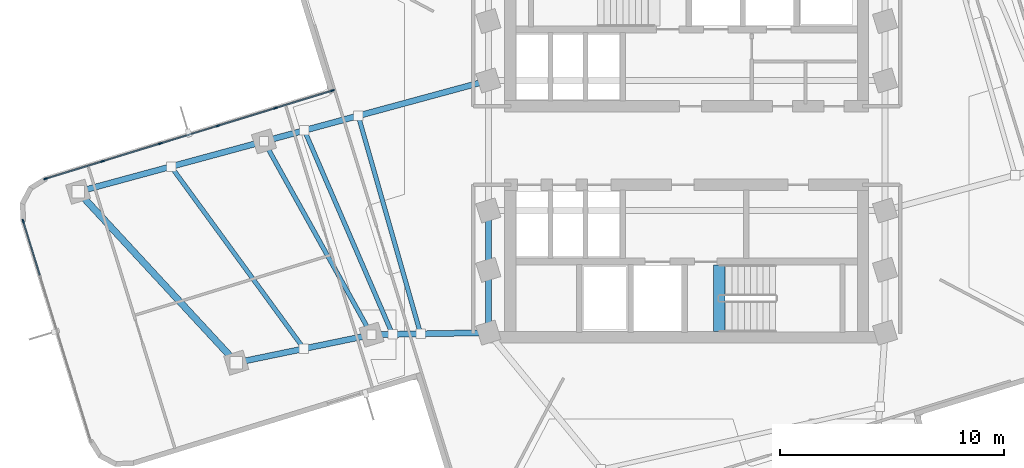
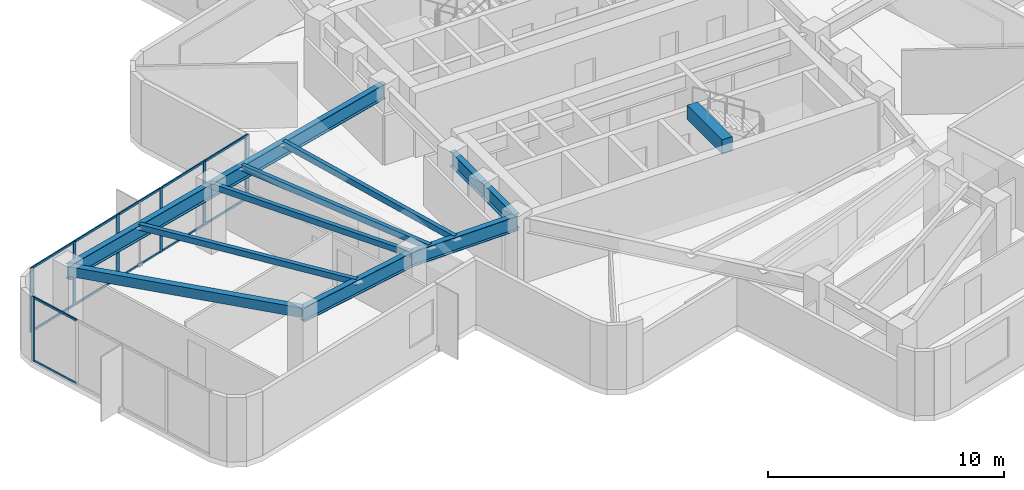
# One storey, part 3 of 10: 19 members, 12 beams, 2 elements without a shape of their own.
"""IFC4 building model written with IfcOpenShell, lengths in metres."""

import ifcopenshell
import ifcopenshell.guid

model = None  # the IFC model being written
_history = None  # IfcOwnerHistory: only IFC2X3 demands one
_inside = {}  # id of a spatial element -> (the spatial element, [elements in it])
_under = {}  # id of a project, library or spatial element -> (it, [spatial elements below it])
_declared = {}  # id of a project -> (the project, [libraries it declares])
_typed = {}  # id of a type object -> (the type object, [elements of that type])
_made_of = {}  # id of a material, layer set ... -> (it, [elements and type objects made of it])


def new_model(schema):
    """Start an empty IFC model of exactly this schema.

    Asked for "IFC4X3", IfcOpenShell would pick the latest addendum, in which some entities
    have other attributes; the version numbers below select the first issue.
    IFC2X3 requires an IfcOwnerHistory on every rooted entity: one is made here for all.
    """
    global model, _history
    if schema == "IFC4X3":
        model = ifcopenshell.file(schema_version=(4, 3, 0, 0))
    else:
        model = ifcopenshell.file(schema=schema)
    _inside.clear()
    _under.clear()
    _declared.clear()
    _typed.clear()
    _made_of.clear()
    _history = None
    if model.schema == "IFC2X3":
        org = make("IfcOrganization", Name="unknown")
        user = make(
            "IfcPersonAndOrganization",
            ThePerson=make("IfcPerson", FamilyName="unknown"),
            TheOrganization=org,
        )
        app = make(
            "IfcApplication",
            ApplicationDeveloper=org,
            Version="unknown",
            ApplicationFullName="unknown",
            ApplicationIdentifier="unknown",
        )
        _history = make(
            "IfcOwnerHistory",
            OwningUser=user,
            OwningApplication=app,
            ChangeAction="ADDED",
            CreationDate=0,
        )
    return model


def make(cls, **values):
    """One entity of the class cls with the attributes given. An attribute that is None is left unset."""
    return model.create_entity(
        cls, **{name: value for name, value in values.items() if value is not None}
    )


def rooted(cls, **values):
    """An entity with a GlobalId (a new one), such as an element, a storey or a relation."""
    return make(cls, GlobalId=ifcopenshell.guid.new(), OwnerHistory=_history, **values)


def si_unit(unit_type, name, prefix=None):
    """IfcSIUnit, for example si_unit("LENGTHUNIT", "METRE", prefix="MILLI")."""
    return make("IfcSIUnit", UnitType=unit_type, Prefix=prefix, Name=name)


def assignment(units):
    """IfcUnitAssignment: the units of a project."""
    return None if units is None else make("IfcUnitAssignment", Units=units)


def point(xyz):
    """IfcCartesianPoint."""
    return None if xyz is None else make("IfcCartesianPoint", Coordinates=xyz)


def direction(xyz):
    """IfcDirection."""
    return None if xyz is None else make("IfcDirection", DirectionRatios=xyz)


def frame(location, z_axis=None, x_axis=None):
    """IfcAxis2Placement3D, a coordinate frame: its origin and axes. An axis left out is left unset."""
    return make(
        "IfcAxis2Placement3D",
        Location=point(location),
        Axis=direction(z_axis),
        RefDirection=direction(x_axis),
    )


def frame_2d(location, x_axis=None):
    """IfcAxis2Placement2D, a coordinate frame in the plane: its origin and x axis."""
    return make(
        "IfcAxis2Placement2D", Location=point(location), RefDirection=direction(x_axis)
    )


def origin():
    """The frame at (0, 0, 0) with its axes left unset."""
    return frame((0.0, 0.0, 0.0))


def origin_2d():
    """The frame at (0, 0) in the plane with its x axis left unset."""
    return frame_2d((0.0, 0.0))


def place(relative_to, where):
    """IfcLocalPlacement: puts the frame where relative to a parent placement (None: the world)."""
    return make(
        "IfcLocalPlacement", PlacementRelTo=relative_to, RelativePlacement=where
    )


def context(
    kind, dimensions, precision=None, world=None, true_north=None, identifier=None
):
    """IfcGeometricRepresentationContext, for example the 3D "Model" context."""
    return make(
        "IfcGeometricRepresentationContext",
        ContextIdentifier=identifier,
        ContextType=kind,
        CoordinateSpaceDimension=dimensions,
        Precision=precision,
        WorldCoordinateSystem=world,
        TrueNorth=true_north,
    )


def subcontext(parent, identifier, kind, view, scale=None):
    """IfcGeometricRepresentationSubContext, for example "Body" below "Model"."""
    return make(
        "IfcGeometricRepresentationSubContext",
        ContextIdentifier=identifier,
        ContextType=kind,
        ParentContext=parent,
        TargetScale=scale,
        TargetView=view,
    )


def project(units=None, contexts=None):
    """IfcProject with its units and contexts."""
    return rooted(
        "IfcProject",
        Name="project",
        RepresentationContexts=contexts,
        UnitsInContext=assignment(units),
    )


def spatial(cls, under=None, at=None, **own):
    """A site, building, storey or space (cls), placed at a placement, below another one or the project."""
    s = rooted(cls, ObjectPlacement=at, **own)
    if under is not None:
        _under.setdefault(under.id(), (under, []))[1].append(s)
    return s


def profile(cls, at=None, kind="AREA", **sizes):
    """A parametric profile (cls). Its sizes go by their IFC names, for example OverallWidth=200.0."""
    return make(cls, ProfileType=kind, Position=at, **sizes)


def rectangle(**sizes):
    """IfcRectangleProfileDef."""
    return profile("IfcRectangleProfileDef", **sizes)


def hollow_rectangle(**sizes):
    """IfcRectangleHollowProfileDef."""
    return profile("IfcRectangleHollowProfileDef", **sizes)


def i_section(**sizes):
    """IfcIShapeProfileDef."""
    return profile("IfcIShapeProfileDef", **sizes)


def extrude(swept, where, along, depth):
    """IfcExtrudedAreaSolid: the profile swept, set in the frame where, extruded along a direction by depth."""
    return make(
        "IfcExtrudedAreaSolid",
        SweptArea=swept,
        Position=where,
        ExtrudedDirection=direction(along),
        Depth=depth,
    )


def shape(context_of_items, identifier, shape_type, items):
    """IfcShapeRepresentation: the items that make up one representation, for example the "Body"."""
    return make(
        "IfcShapeRepresentation",
        ContextOfItems=context_of_items,
        RepresentationIdentifier=identifier,
        RepresentationType=shape_type,
        Items=items,
    )


def material(Name=None, Category=None):
    """IfcMaterial."""
    return make("IfcMaterial", Name=Name, Category=Category)


def layer(
    of_material, thickness, ventilated=None, Name=None, Category=None, Priority=None
):
    """IfcMaterialLayer: one layer of a wall or slab, of a material (None: an air gap)."""
    return make(
        "IfcMaterialLayer",
        Material=of_material,
        LayerThickness=thickness,
        IsVentilated=ventilated,
        Name=Name,
        Category=Category,
        Priority=Priority,
    )


def layer_set(layers, Name=None):
    """IfcMaterialLayerSet."""
    return make("IfcMaterialLayerSet", MaterialLayers=layers, LayerSetName=Name)


def material_profile(
    of_material, cross_section, Name=None, Category=None, Priority=None
):
    """IfcMaterialProfile: a cross section and its material."""
    return make(
        "IfcMaterialProfile",
        Name=Name,
        Material=of_material,
        Profile=cross_section,
        Priority=Priority,
        Category=Category,
    )


def profile_set(profiles, Name=None, composite=None):
    """IfcMaterialProfileSet."""
    return make(
        "IfcMaterialProfileSet",
        Name=Name,
        MaterialProfiles=profiles,
        CompositeProfile=composite,
    )


def made_of(thing, what):
    """Note that an element or type object is made of a material, layer set ...; save() writes the relation."""
    if what is not None:
        _made_of.setdefault(what.id(), (what, []))[1].append(thing)
    return thing


def type_object(cls, material=None, **own):
    """A type object (cls), such as IfcWallType, which elements share."""
    return made_of(rooted(cls, **own), material)


def element(
    cls,
    number,
    at=None,
    inside=None,
    cuts=None,
    type_object=None,
    material=None,
    context=None,
    identifier="Body",
    shape_type=None,
    held_by="IfcProductDefinitionShape",
    body=None,
    shapes=None,
    **own,
):
    """One element of the class cls, such as IfcWall. Its Tag is "e" and its number.

    at: its placement. inside: the storey or other place that contains it. cuts: it is an
    opening in that element (IfcRelVoidsElement). A single representation is given by context,
    identifier, shape_type and body (its items); several are given by shapes. held_by: the class
    of the entity that holds the representations. save() writes the other relations.
    """
    e = rooted(cls, Tag="e%d" % number, ObjectPlacement=at, **own)
    if body is not None:
        shapes = [shape(context, identifier, shape_type, body)]
    if shapes is not None:
        e.Representation = make(held_by, Representations=shapes)
    if inside is not None:
        _inside.setdefault(inside.id(), (inside, []))[1].append(e)
    if cuts is not None:
        rooted(
            "IfcRelVoidsElement", RelatingBuildingElement=cuts, RelatedOpeningElement=e
        )
    if type_object is not None:
        _typed.setdefault(type_object.id(), (type_object, []))[1].append(e)
    return made_of(e, material)


def aggregate(whole, parts):
    """IfcRelAggregates: a whole, such as a stair, and the parts it consists of."""
    return rooted("IfcRelAggregates", RelatingObject=whole, RelatedObjects=parts)


def save(model, path):
    """Write the relations noted so far, then the file.

    IfcRelAggregates (storeys below a building ...), IfcRelContainedInSpatialStructure (elements
    in a storey), IfcRelDefinesByType, IfcRelAssociatesMaterial and IfcRelDeclares: one each for
    every whole, place, type object, material and project.
    """
    for whole, parts in _under.values():
        aggregate(whole, parts)
    for where, things in _inside.values():
        rooted(
            "IfcRelContainedInSpatialStructure",
            RelatedElements=things,
            RelatingStructure=where,
        )
    for kind, things in _typed.values():
        rooted("IfcRelDefinesByType", RelatedObjects=things, RelatingType=kind)
    for what, things in _made_of.values():
        rooted("IfcRelAssociatesMaterial", RelatedObjects=things, RelatingMaterial=what)
    for by, libraries in _declared.values():
        rooted("IfcRelDeclares", RelatingContext=by, RelatedDefinitions=libraries)
    model.write(path)


model = new_model("IFC4")

# Units and contexts
model_context = context("Model", 3, precision=1e-05, world=origin(), true_north=direction((0.0, 1.0)))
body_context = subcontext(model_context, "Body", "Model", "MODEL_VIEW")
ifc_project = project(units=[si_unit("LENGTHUNIT", "METRE"), si_unit("AREAUNIT", "SQUARE_METRE"), si_unit("VOLUMEUNIT", "CUBIC_METRE"), si_unit("PLANEANGLEUNIT", "RADIAN"), si_unit("MASSUNIT", "GRAM", prefix="KILO")], contexts=[model_context])

# Site, building, storey
site_placement = place(None, origin())
site = spatial("IfcSite", under=ifc_project, at=site_placement, CompositionType="ELEMENT")
building_placement = place(site_placement, origin())
building = spatial("IfcBuilding", under=site, at=building_placement, Name="Solmarez Civic Tower", CompositionType="ELEMENT")
storey_placement = place(building_placement, frame((0.0, 0.0, 148.679931640625)))
storey = spatial("IfcBuildingStorey", under=building, at=storey_placement, Name="L39", CompositionType="ELEMENT", Elevation=148.679931640625)

# Beams
ifc_material_1 = material(Name="Steel S355", Category="steel")
ifc_material_profile_1 = material_profile(ifc_material_1, hollow_rectangle(XDim=0.199951171875, YDim=0.300048828125, WallThickness=0.011962890625, at=origin_2d()), Name="HSS300X200X12")
ifc_profile_set_1 = profile_set([ifc_material_profile_1], Name="Steel S355")
beam_type_1 = type_object("IfcBeamType", Name="BM-JS-HSS300X200", PredefinedType="JOIST", material=ifc_profile_set_1)
beam_1_placement = place(storey_placement, frame((-18.860107421875, 0.18310546875, 3.170166015625), z_axis=(0.485852902718, -0.874040592261, 0.0), x_axis=(0.874040592261, 0.485852902718, 0.0)))
element("IfcBeam", 1, at=beam_1_placement, inside=storey, type_object=beam_type_1, Name="L39 Secondary Floor Joist BM-L39-WA-T1", PredefinedType="JOIST", context=body_context, shape_type="SweptSolid", body=[
    extrude(hollow_rectangle(XDim=0.199951171875, YDim=0.300048828125, WallThickness=0.011962890625, at=origin_2d()), origin(), (0.0, 0.0, 1.0), 9.87158203125),
])
beam_2_placement = place(storey_placement, frame((-23.006103515625, -0.94091796875, 3.170166015625), z_axis=(0.589058914091, -0.808090091345, 0.0), x_axis=(0.808090091345, 0.589058914091, 0.0)))
element("IfcBeam", 2, at=beam_2_placement, inside=storey, type_object=beam_type_1, Name="L39 Secondary Floor Joist JS-L39-WA-M2", PredefinedType="JOIST", context=body_context, shape_type="SweptSolid", body=[
    extrude(hollow_rectangle(XDim=0.199951171875, YDim=0.300048828125, WallThickness=0.011962890625, at=origin_2d()), origin(), (0.0, 0.0, 1.0), 10.05859375),
])
beam_3_placement = place(storey_placement, frame((-14.656005859375, 1.323974609375, 3.170166015625), z_axis=(0.27492825036, -0.961464745664, 0.0), x_axis=(0.961464745664, 0.27492825036, 0.0)))
element("IfcBeam", 3, at=beam_3_placement, inside=storey, type_object=beam_type_1, Name="L39 Secondary Floor Joist JS-L39-WA-M11", PredefinedType="JOIST", context=body_context, shape_type="SweptSolid", body=[
    extrude(hollow_rectangle(XDim=0.199951171875, YDim=0.300048828125, WallThickness=0.011962890625, at=origin_2d()), origin(), (0.0, 0.0, 1.0), 10.118896484375),
])
beam_4_placement = place(storey_placement, frame((-17.05810546875, 0.672119140625, 3.170166015625), z_axis=(0.396735074316, -0.917933157048, 0.0), x_axis=(0.917933157048, 0.396735074316, 0.0)))
element("IfcBeam", 4, at=beam_4_placement, inside=storey, type_object=beam_type_1, Name="L39 Secondary Floor Joist JS-L39-WA-M12", PredefinedType="JOIST", context=body_context, shape_type="SweptSolid", body=[
    extrude(hollow_rectangle(XDim=0.199951171875, YDim=0.300048828125, WallThickness=0.011962890625, at=origin_2d()), origin(), (0.0, 0.0, 1.0), 9.91357421875),
])
ifc_material_2 = material(Name="Concrete C50/60", Category="concrete")
ifc_material_profile_2 = material_profile(ifc_material_2, rectangle(XDim=0.5, YDim=0.75, at=origin_2d()), Name="RC500X750")
ifc_profile_set_2 = profile_set([ifc_material_profile_2], Name="Concrete C50/60")
beam_type_2 = type_object("IfcBeamType", Name="BM-PR-RC500X750", PredefinedType="BEAM", material=ifc_profile_set_2)
beam_5_placement = place(storey_placement, frame((1.449951171875, -8.300048828125, 3.233154296875), z_axis=(0.0, 1.0, 0.0), x_axis=(-1.0, 0.0, 0.0)))
element("IfcBeam", 5, at=beam_5_placement, inside=storey, type_object=beam_type_2, Name="L39 South Stair Threshold Beam", PredefinedType="BEAM", context=body_context, shape_type="SweptSolid", body=[
    extrude(rectangle(XDim=0.5, YDim=0.75, at=origin_2d()), origin(), (0.0, 0.0, 1.0), 2.9599609375),
])
ifc_material_profile_3 = material_profile(ifc_material_1, i_section(OverallWidth=0.26708984375, OverallDepth=0.761962890625, WebThickness=0.014404296875, FlangeThickness=0.021484375, at=origin_2d()), Name="W30X116")
ifc_profile_set_3 = profile_set([ifc_material_profile_3], Name="Steel S355")
beam_type_3 = type_object("IfcBeamType", Name="BM-PR-W30X116", PredefinedType="BEAM", material=ifc_profile_set_3)
beam_6_placement = place(storey_placement, frame((-8.85009765625, -8.35009765625, 2.93896484375), z_axis=(0.0, 1.0, 0.0), x_axis=(-1.0, 0.0, 0.0)))
element("IfcBeam", 6, at=beam_6_placement, inside=storey, type_object=beam_type_3, Name="L39 Primary Floor Beam BM-L39-HC12-HC1", PredefinedType="BEAM", context=body_context, shape_type="SweptSolid", body=[
    extrude(i_section(OverallWidth=0.26708984375, OverallDepth=0.761962890625, WebThickness=0.014404296875, FlangeThickness=0.021484375, at=origin_2d()), origin(), (0.0, 0.0, 1.0), 2.800048828125),
])
beam_7_placement = place(storey_placement, frame((-8.85009765625, -5.550048828125, 2.93896484375), z_axis=(0.0, 1.0, 0.0), x_axis=(-1.0, 0.0, 0.0)))
element("IfcBeam", 7, at=beam_7_placement, inside=storey, type_object=beam_type_3, Name="L39 Primary Floor Beam BM-L39-HC1-HC2", PredefinedType="BEAM", context=body_context, shape_type="SweptSolid", body=[
    extrude(i_section(OverallWidth=0.26708984375, OverallDepth=0.761962890625, WebThickness=0.014404296875, FlangeThickness=0.021484375, at=origin_2d()), origin(), (0.0, 0.0, 1.0), 2.650146484375),
])
beam_8_placement = place(storey_placement, frame((-8.85009765625, 2.89990234375, 2.93896484375), z_axis=(-0.965086289853, -0.261932153691, 0.0), x_axis=(0.261932153691, -0.965086289853, 0.0)))
element("IfcBeam", 8, at=beam_8_placement, inside=storey, type_object=beam_type_3, Name="L39 Primary Floor Beam BM-L39-WA-R1A", PredefinedType="BEAM", context=body_context, shape_type="SweptSolid", body=[
    extrude(i_section(OverallWidth=0.26708984375, OverallDepth=0.761962890625, WebThickness=0.014404296875, FlangeThickness=0.021484375, at=origin_2d()), origin(), (0.0, 0.0, 1.0), 10.3720703125),
])
beam_9_placement = place(storey_placement, frame((-8.85009765625, -8.35009765625, 2.93896484375), z_axis=(-0.999834147765, -0.018212000538, 0.0), x_axis=(0.018212000538, -0.999834147765, 0.0)))
element("IfcBeam", 9, at=beam_9_placement, inside=storey, type_object=beam_type_3, Name="L39 Primary Floor Beam BM-L39-WA-R1B", PredefinedType="BEAM", context=body_context, shape_type="SweptSolid", body=[
    extrude(i_section(OverallWidth=0.26708984375, OverallDepth=0.761962890625, WebThickness=0.014404296875, FlangeThickness=0.021484375, at=origin_2d()), origin(), (0.0, 0.0, 1.0), 5.21484375),
])
beam_10_placement = place(storey_placement, frame((-18.860107421875, 0.18310546875, 2.93896484375), z_axis=(-0.965195296066, -0.261530190326, 0.0), x_axis=(0.261530190326, -0.965195296066, 0.0)))
element("IfcBeam", 10, at=beam_10_placement, inside=storey, type_object=beam_type_3, Name="L39 Primary Floor Beam BM-L39-WA-R2A", PredefinedType="BEAM", context=body_context, shape_type="SweptSolid", body=[
    extrude(i_section(OverallWidth=0.26708984375, OverallDepth=0.761962890625, WebThickness=0.014404296875, FlangeThickness=0.021484375, at=origin_2d()), origin(), (0.0, 0.0, 1.0), 8.592041015625),
])
beam_11_placement = place(storey_placement, frame((-14.06396484375, -8.445068359375, 2.93896484375), z_axis=(-0.979311082476, -0.202360578523, 0.0), x_axis=(0.202360578523, -0.979311082476, 0.0)))
element("IfcBeam", 11, at=beam_11_placement, inside=storey, type_object=beam_type_3, Name="L39 Primary Floor Beam BM-L39-WA-R2B", PredefinedType="BEAM", context=body_context, shape_type="SweptSolid", body=[
    extrude(i_section(OverallWidth=0.26708984375, OverallDepth=0.761962890625, WebThickness=0.014404296875, FlangeThickness=0.021484375, at=origin_2d()), origin(), (0.0, 0.0, 1.0), 6.161376953125),
])
ifc_material_profile_4 = material_profile(ifc_material_1, hollow_rectangle(XDim=0.300048828125, YDim=0.5, WallThickness=0.02001953125, at=origin_2d()), Name="HSS500X300X20")
ifc_profile_set_4 = profile_set([ifc_material_profile_4], Name="Steel S355")
beam_type_4 = type_object("IfcBeamType", Name="BM-SP-HSS500X300", PredefinedType="SPANDREL", material=ifc_profile_set_4)
beam_12_placement = place(storey_placement, frame((-27.153076171875, -2.06396484375, 3.070068359375), z_axis=(0.679007792344, -0.734131063187, 0.0), x_axis=(0.734131063187, 0.679007792344, 0.0)))
element("IfcBeam", 12, at=beam_12_placement, inside=storey, type_object=beam_type_4, Name="L39 Perimeter Spandrel Beam BM-L39-WA-T2", PredefinedType="SPANDREL", context=body_context, shape_type="SweptSolid", body=[
    extrude(hollow_rectangle(XDim=0.300048828125, YDim=0.5, WallThickness=0.02001953125, at=origin_2d()), origin(), (0.0, 0.0, 1.0), 10.390380859375),
])

# Curtain wall, member
ifc_material_3 = material(Name="Bronze Anodised Aluminium EN AW-6063 T6", Category="aluminium")
ifc_layer = layer(ifc_material_3, 0.175048828125)
ifc_layer_set = layer_set([ifc_layer], Name="Bronze Anodised Aluminium EN AW-6063 T6")
curtain_wall_type = type_object("IfcCurtainWallType", Name="CW-SYS-3", PredefinedType="NOTDEFINED", material=ifc_layer_set)
curtain_wall_1_placement = place(storey_placement, origin())
curtain_wall_1 = element("IfcCurtainWall", 13, at=curtain_wall_1_placement, inside=storey, type_object=curtain_wall_type, Name="L39 Stick-Built Curtain Wall 1", PredefinedType="NOTDEFINED")
ifc_material_profile_5 = material_profile(ifc_material_3, rectangle(XDim=0.06494140625, YDim=0.1650390625, at=origin_2d()), Name="CWM-65X165")
ifc_profile_set_5 = profile_set([ifc_material_profile_5], Name="Bronze Anodised Aluminium EN AW-6063 T6")
member_type_1 = type_object("IfcMemberType", Name="CWM-TYPE-3", PredefinedType="MULLION", material=ifc_profile_set_5)
member_1_placement = place(storey_placement, frame((-29.60546875, -3.3759765625, 0.0), z_axis=(0.0, 0.0, 1.0), x_axis=(-0.955816709282, -0.293963294064, 0.0)))
member_1 = element("IfcMember", 14, at=member_1_placement, type_object=member_type_1, Name="CWS3 mullion 5", PredefinedType="MULLION", context=body_context, shape_type="SweptSolid", body=[
    extrude(rectangle(XDim=0.06494140625, YDim=0.1650390625, at=origin_2d()), origin(), (0.0, 0.0, 1.0), 3.320068359375),
])

# Curtain wall, members
curtain_wall_2_placement = place(storey_placement, origin())
curtain_wall_2 = element("IfcCurtainWall", 15, at=curtain_wall_2_placement, inside=storey, type_object=curtain_wall_type, Name="L39 Stick-Built Curtain Wall 2", PredefinedType="NOTDEFINED")
member_2_placement = place(storey_placement, frame((-28.60595703125, -1.486328125, 0.0), z_axis=(0.0, 0.0, 1.0), x_axis=(-0.294007530987, 0.95580310301, 0.0)))
member_2 = element("IfcMember", 16, at=member_2_placement, type_object=member_type_1, Name="CWS3 mullion 1", PredefinedType="MULLION", context=body_context, shape_type="SweptSolid", body=[
    extrude(rectangle(XDim=0.06494140625, YDim=0.1650390625, at=origin_2d()), origin(), (0.0, 0.0, 1.0), 3.320068359375),
])
member_3_placement = place(storey_placement, frame((-26.064208984375, -0.70458984375, 0.0), z_axis=(0.0, 0.0, 1.0), x_axis=(-0.294007530987, 0.95580310301, 0.0)))
member_3 = element("IfcMember", 17, at=member_3_placement, type_object=member_type_1, Name="CWS3 mullion 2", PredefinedType="MULLION", context=body_context, shape_type="SweptSolid", body=[
    extrude(rectangle(XDim=0.06494140625, YDim=0.1650390625, at=origin_2d()), origin(), (0.0, 0.0, 1.0), 3.320068359375),
])
member_4_placement = place(storey_placement, frame((-23.491455078125, 0.0869140625, 0.0), z_axis=(0.0, 0.0, 1.0), x_axis=(-0.294007530987, 0.95580310301, 0.0)))
member_4 = element("IfcMember", 18, at=member_4_placement, type_object=member_type_1, Name="CWS3 mullion 3", PredefinedType="MULLION", context=body_context, shape_type="SweptSolid", body=[
    extrude(rectangle(XDim=0.06494140625, YDim=0.1650390625, at=origin_2d()), origin(), (0.0, 0.0, 1.0), 3.320068359375),
])
member_5_placement = place(storey_placement, frame((-20.918701171875, 0.878173828125, 0.0), z_axis=(0.0, 0.0, 1.0), x_axis=(-0.294007530987, 0.95580310301, 0.0)))
member_5 = element("IfcMember", 19, at=member_5_placement, type_object=member_type_1, Name="CWS3 mullion 4", PredefinedType="MULLION", context=body_context, shape_type="SweptSolid", body=[
    extrude(rectangle(XDim=0.06494140625, YDim=0.1650390625, at=origin_2d()), origin(), (0.0, 0.0, 1.0), 3.320068359375),
])
member_6_placement = place(storey_placement, frame((-18.345703125, 1.669677734375, 0.0), z_axis=(0.0, 0.0, 1.0), x_axis=(-0.294007530987, 0.95580310301, 0.0)))
member_6 = element("IfcMember", 20, at=member_6_placement, type_object=member_type_1, Name="CWS3 mullion 5", PredefinedType="MULLION", context=body_context, shape_type="SweptSolid", body=[
    extrude(rectangle(XDim=0.06494140625, YDim=0.1650390625, at=origin_2d()), origin(), (0.0, 0.0, 1.0), 3.320068359375),
])
member_7_placement = place(storey_placement, frame((-15.803955078125, 2.451416015625, 0.0), z_axis=(0.0, 0.0, 1.0), x_axis=(-0.294007530987, 0.95580310301, 0.0)))
member_7 = element("IfcMember", 21, at=member_7_placement, type_object=member_type_1, Name="CWS3 mullion 6", PredefinedType="MULLION", context=body_context, shape_type="SweptSolid", body=[
    extrude(rectangle(XDim=0.06494140625, YDim=0.1650390625, at=origin_2d()), origin(), (0.0, 0.0, 1.0), 3.320068359375),
])

# Member
ifc_material_profile_6 = material_profile(ifc_material_3, rectangle(XDim=0.06005859375, YDim=0.110107421875, at=origin_2d()), Name="CWT-60X110")
ifc_profile_set_6 = profile_set([ifc_material_profile_6], Name="Bronze Anodised Aluminium EN AW-6063 T6")
member_type_2 = type_object("IfcMemberType", Name="CWT-TYPE-3", PredefinedType="USERDEFINED", material=ifc_profile_set_6)
member_8_placement = place(storey_placement, frame((-28.865966796875, -5.7802734375, 0.030029296875), z_axis=(-0.294016748951, 0.955800267491, 0.0), x_axis=(-0.955800267491, -0.294016748951, 0.0)))
member_8 = element("IfcMember", 22, at=member_8_placement, type_object=member_type_2, Name="CWS3 transom 4.1", ObjectType="TRANSOM", PredefinedType="USERDEFINED", context=body_context, shape_type="SweptSolid", body=[
    extrude(rectangle(XDim=0.06005859375, YDim=0.110107421875, at=origin_2d()), origin(), (0.0, 0.0, 1.0), 2.482666015625),
])

member_9_placement = place(storey_placement, frame((-28.865966796875, -5.7802734375, 3.2900390625), z_axis=(-0.294016748951, 0.955800267491, 0.0), x_axis=(-0.955800267491, -0.294016748951, 0.0)))
member_9 = element("IfcMember", 23, at=member_9_placement, type_object=member_type_2, Name="CWS3 transom 4.2", ObjectType="TRANSOM", PredefinedType="USERDEFINED", context=body_context, shape_type="SweptSolid", body=[
    extrude(rectangle(XDim=0.06005859375, YDim=0.110107421875, at=origin_2d()), origin(), (0.0, 0.0, 1.0), 2.482666015625),
])

aggregate(curtain_wall_1, [member_1, member_8, member_9])

member_10_placement = place(storey_placement, frame((-28.574951171875, -1.476806640625, 0.030029296875), z_axis=(0.955811557669, 0.293980043926, 0.0), x_axis=(-0.293980043926, 0.955811557669, 0.0)))
member_10 = element("IfcMember", 24, at=member_10_placement, type_object=member_type_2, Name="CWS3 transom 1.1", ObjectType="TRANSOM", PredefinedType="USERDEFINED", context=body_context, shape_type="SweptSolid", body=[
    extrude(rectangle(XDim=0.06005859375, YDim=0.110107421875, at=origin_2d()), origin(), (0.0, 0.0, 1.0), 2.594482421875),
])

member_11_placement = place(storey_placement, frame((-28.574951171875, -1.476806640625, 3.2900390625), z_axis=(0.955811557669, 0.293980043926, 0.0), x_axis=(-0.293980043926, 0.955811557669, 0.0)))
member_11 = element("IfcMember", 25, at=member_11_placement, type_object=member_type_2, Name="CWS3 transom 1.2", ObjectType="TRANSOM", PredefinedType="USERDEFINED", context=body_context, shape_type="SweptSolid", body=[
    extrude(rectangle(XDim=0.06005859375, YDim=0.110107421875, at=origin_2d()), origin(), (0.0, 0.0, 1.0), 2.594482421875),
])

member_12_placement = place(storey_placement, frame((-26.033203125, -0.695068359375, 0.030029296875), z_axis=(0.955813164654, 0.293974819117, 0.0), x_axis=(-0.293974819117, 0.955813164654, 0.0)))
member_12 = element("IfcMember", 26, at=member_12_placement, type_object=member_type_2, Name="CWS3 transom 2.1", ObjectType="TRANSOM", PredefinedType="USERDEFINED", context=body_context, shape_type="SweptSolid", body=[
    extrude(rectangle(XDim=0.06005859375, YDim=0.110107421875, at=origin_2d()), origin(), (0.0, 0.0, 1.0), 2.626708984375),
])

member_13_placement = place(storey_placement, frame((-26.033203125, -0.695068359375, 3.2900390625), z_axis=(0.955813164654, 0.293974819117, 0.0), x_axis=(-0.293974819117, 0.955813164654, 0.0)))
member_13 = element("IfcMember", 27, at=member_13_placement, type_object=member_type_2, Name="CWS3 transom 2.2", ObjectType="TRANSOM", PredefinedType="USERDEFINED", context=body_context, shape_type="SweptSolid", body=[
    extrude(rectangle(XDim=0.06005859375, YDim=0.110107421875, at=origin_2d()), origin(), (0.0, 0.0, 1.0), 2.626708984375),
])

member_14_placement = place(storey_placement, frame((-23.46044921875, 0.096435546875, 0.030029296875), z_axis=(0.955813164654, 0.293974819117, 0.0), x_axis=(-0.293974819117, 0.955813164654, 0.0)))
member_14 = element("IfcMember", 28, at=member_14_placement, type_object=member_type_2, Name="CWS3 transom 3.1", ObjectType="TRANSOM", PredefinedType="USERDEFINED", context=body_context, shape_type="SweptSolid", body=[
    extrude(rectangle(XDim=0.06005859375, YDim=0.110107421875, at=origin_2d()), origin(), (0.0, 0.0, 1.0), 2.626708984375),
])

member_15_placement = place(storey_placement, frame((-23.46044921875, 0.096435546875, 3.2900390625), z_axis=(0.955813164654, 0.293974819117, 0.0), x_axis=(-0.293974819117, 0.955813164654, 0.0)))
member_15 = element("IfcMember", 29, at=member_15_placement, type_object=member_type_2, Name="CWS3 transom 3.2", ObjectType="TRANSOM", PredefinedType="USERDEFINED", context=body_context, shape_type="SweptSolid", body=[
    extrude(rectangle(XDim=0.06005859375, YDim=0.110107421875, at=origin_2d()), origin(), (0.0, 0.0, 1.0), 2.626708984375),
])

member_16_placement = place(storey_placement, frame((-20.887451171875, 0.8876953125, 0.030029296875), z_axis=(0.955779008722, 0.294085848838, 0.0), x_axis=(-0.294085848838, 0.955779008722, 0.0)))
member_16 = element("IfcMember", 30, at=member_16_placement, type_object=member_type_2, Name="CWS3 transom 4.1", ObjectType="TRANSOM", PredefinedType="USERDEFINED", context=body_context, shape_type="SweptSolid", body=[
    extrude(rectangle(XDim=0.06005859375, YDim=0.110107421875, at=origin_2d()), origin(), (0.0, 0.0, 1.0), 2.626708984375),
])

member_17_placement = place(storey_placement, frame((-20.887451171875, 0.8876953125, 3.2900390625), z_axis=(0.955779008722, 0.294085848838, 0.0), x_axis=(-0.294085848838, 0.955779008722, 0.0)))
member_17 = element("IfcMember", 31, at=member_17_placement, type_object=member_type_2, Name="CWS3 transom 4.2", ObjectType="TRANSOM", PredefinedType="USERDEFINED", context=body_context, shape_type="SweptSolid", body=[
    extrude(rectangle(XDim=0.06005859375, YDim=0.110107421875, at=origin_2d()), origin(), (0.0, 0.0, 1.0), 2.626708984375),
])

member_18_placement = place(storey_placement, frame((-18.314697265625, 1.67919921875, 0.030029296875), z_axis=(0.955803423726, 0.294006488354, 0.0), x_axis=(-0.294006488354, 0.955803423726, 0.0)))
member_18 = element("IfcMember", 32, at=member_18_placement, type_object=member_type_2, Name="CWS3 transom 5.1", ObjectType="TRANSOM", PredefinedType="USERDEFINED", context=body_context, shape_type="SweptSolid", body=[
    extrude(rectangle(XDim=0.06005859375, YDim=0.110107421875, at=origin_2d()), origin(), (0.0, 0.0, 1.0), 2.59423828125),
])

member_19_placement = place(storey_placement, frame((-18.314697265625, 1.67919921875, 3.2900390625), z_axis=(0.955803423726, 0.294006488354, 0.0), x_axis=(-0.294006488354, 0.955803423726, 0.0)))
member_19 = element("IfcMember", 33, at=member_19_placement, type_object=member_type_2, Name="CWS3 transom 5.2", ObjectType="TRANSOM", PredefinedType="USERDEFINED", context=body_context, shape_type="SweptSolid", body=[
    extrude(rectangle(XDim=0.06005859375, YDim=0.110107421875, at=origin_2d()), origin(), (0.0, 0.0, 1.0), 2.59423828125),
])

aggregate(curtain_wall_2, [member_2, member_3, member_4, member_5, member_6, member_7, member_10, member_11, member_12, member_13, member_14, member_15, member_16, member_17, member_18, member_19])

save(model, "model.ifc")
